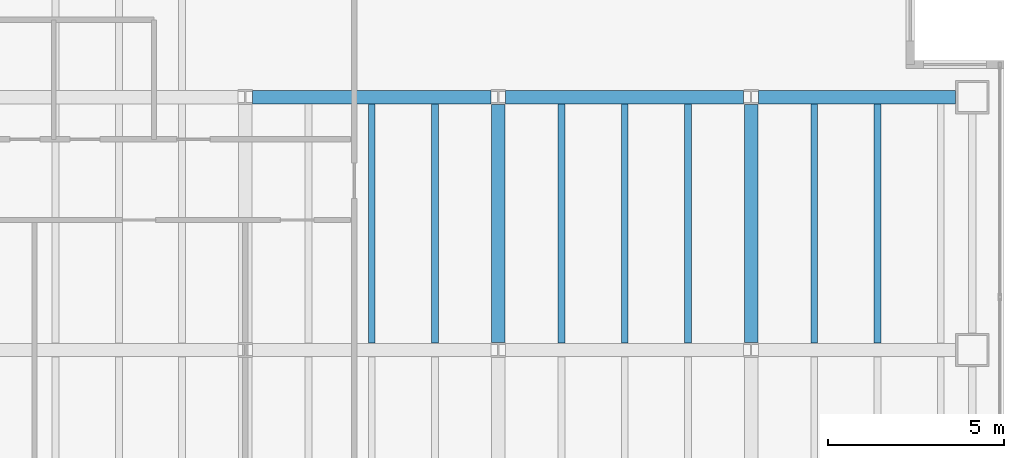
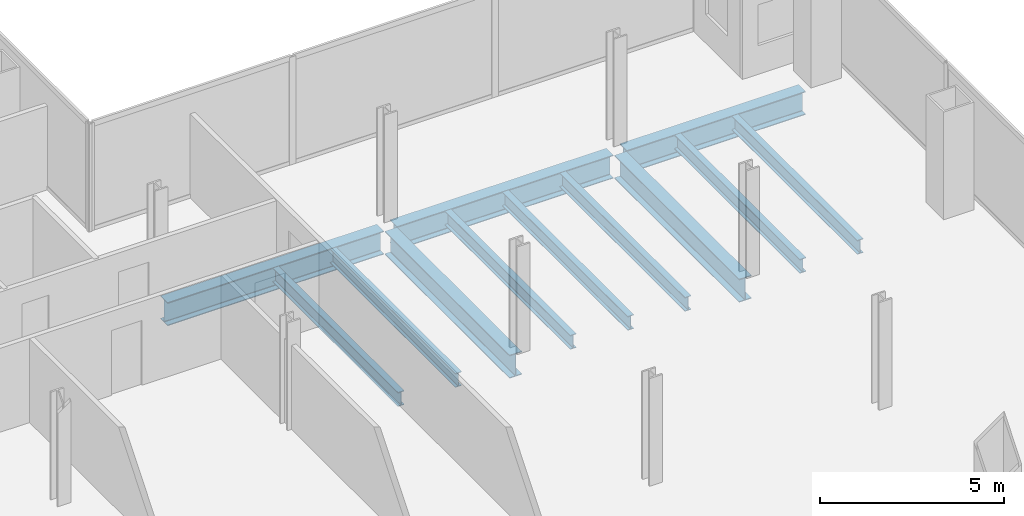
# One storey, part 11 of 23: 12 beams.
"""IFC4 building model written with IfcOpenShell, lengths in metres."""

from ifc_helpers import new_model, si_unit, direction, frame, origin, origin_2d, place, context, subcontext, project, spatial, i_section, extrude, material, material_profile, profile_set, type_object, element, save


model = new_model("IFC4")

# Units and contexts
model_context = context("Model", 3, precision=1e-05, world=origin(), true_north=direction((0.0, 1.0)))
body_context = subcontext(model_context, "Body", "Model", "MODEL_VIEW")
ifc_project = project(units=[si_unit("LENGTHUNIT", "METRE"), si_unit("AREAUNIT", "SQUARE_METRE"), si_unit("VOLUMEUNIT", "CUBIC_METRE"), si_unit("PLANEANGLEUNIT", "RADIAN"), si_unit("MASSUNIT", "GRAM", prefix="KILO")], contexts=[model_context])

# Site, building, storey
site_placement = place(None, origin())
site = spatial("IfcSite", under=ifc_project, at=site_placement, CompositionType="ELEMENT")
building_placement = place(site_placement, origin())
building = spatial("IfcBuilding", under=site, at=building_placement, Name="Cobrela Telecom Tower", CompositionType="ELEMENT")
storey_placement = place(building_placement, frame((0.0, 0.0, 81.199951171875)))
storey = spatial("IfcBuildingStorey", under=building, at=storey_placement, Name="L20", CompositionType="ELEMENT", Elevation=81.199951171875)

# Beams
ifc_material = material(Name="Steel ASTM A992 Grade 50", Category="steel")
ifc_material_profile_1 = material_profile(ifc_material, i_section(OverallWidth=0.381103515625, OverallDepth=0.77197265625, WebThickness=0.0166015625, FlangeThickness=0.027099609375, FilletRadius=0.01904296875, at=origin_2d()), Name="W30X173")
ifc_profile_set_1 = profile_set([ifc_material_profile_1], Name="Steel ASTM A992 Grade 50")
beam_type_1 = type_object("IfcBeamType", Name="BM-GIRD-04", PredefinedType="USERDEFINED", material=ifc_profile_set_1)
for number, where, z_axis, x_axis, name in (
    (1, (29.009521484375, 21.60009765625, -0.666015625), (1.0, 0.0, 0.0), (0.0, 1.0, 0.0), "L20 Primary Girder X20"),
    (2, (36.20947265625, 21.60009765625, -0.666015625), (1.0, 0.0, 0.0), (0.0, 1.0, 0.0), "L20 Primary Girder X21"),
):
    element("IfcBeam", number, at=place(storey_placement, frame(where, z_axis=z_axis, x_axis=x_axis)), inside=storey, type_object=beam_type_1, Name=name, ObjectType="GIRDER", PredefinedType="USERDEFINED", context=body_context, shape_type="SweptSolid", body=[
        extrude(i_section(OverallWidth=0.381103515625, OverallDepth=0.77197265625, WebThickness=0.0166015625, FlangeThickness=0.027099609375, FilletRadius=0.01904296875, at=origin_2d()), origin(), (0.0, 0.0, 1.0), 6.781005859375),
    ])
beam_placement = place(storey_placement, frame((43.409423828125, 21.60009765625, -0.666015625), z_axis=(1.0, 0.0, 0.0), x_axis=(0.0, 1.0, 0.0)))
element("IfcBeam", 3, at=beam_placement, inside=storey, type_object=beam_type_1, Name="L20 Primary Girder X22", ObjectType="GIRDER", PredefinedType="USERDEFINED", context=body_context, shape_type="SweptSolid", body=[
    extrude(i_section(OverallWidth=0.381103515625, OverallDepth=0.77197265625, WebThickness=0.0166015625, FlangeThickness=0.027099609375, FilletRadius=0.01904296875, at=origin_2d()), origin(), (0.0, 0.0, 1.0), 5.610595703125),
])
for number, where, z_axis, x_axis, name in (
    (4, (36.0, 14.609619140625, -0.666015625), (0.0, 1.0, 0.0), (-1.0, 0.0, 0.0), "L20 Primary Girder Y52"),
    (5, (43.199951171875, 14.609619140625, -0.666015625), (0.0, 1.0, 0.0), (-1.0, 0.0, 0.0), "L20 Primary Girder Y55"),
):
    element("IfcBeam", number, at=place(storey_placement, frame(where, z_axis=z_axis, x_axis=x_axis)), inside=storey, type_object=beam_type_1, Name=name, ObjectType="GIRDER", PredefinedType="USERDEFINED", context=body_context, shape_type="SweptSolid", body=[
        extrude(i_section(OverallWidth=0.381103515625, OverallDepth=0.77197265625, WebThickness=0.0166015625, FlangeThickness=0.027099609375, FilletRadius=0.01904296875, at=origin_2d()), origin(), (0.0, 0.0, 1.0), 6.78076171875),
    ])
ifc_material_profile_2 = material_profile(ifc_material, i_section(OverallWidth=0.193115234375, OverallDepth=0.467041015625, WebThickness=0.011474609375, FlangeThickness=0.01904296875, FilletRadius=0.012939453125, at=origin_2d()), Name="W18X65")
ifc_profile_set_2 = profile_set([ifc_material_profile_2], Name="Steel ASTM A992 Grade 50")
beam_type_2 = type_object("IfcBeamType", Name="BM-JOIST-03", PredefinedType="JOIST", material=ifc_profile_set_2)
for number, where, z_axis, x_axis, name in (
    (6, (32.39990234375, 14.595458984375, -0.513427734375), (0.0, 1.0, 0.0), (-1.0, 0.0, 0.0), "L20 Secondary Composite Floor Beam J46"),
    (7, (34.199951171875, 14.595458984375, -0.513427734375), (0.0, 1.0, 0.0), (-1.0, 0.0, 0.0), "L20 Secondary Composite Floor Beam J49"),
    (8, (37.800048828125, 14.595458984375, -0.513427734375), (0.0, 1.0, 0.0), (-1.0, 0.0, 0.0), "L20 Secondary Composite Floor Beam J52"),
    (9, (39.60009765625, 14.595458984375, -0.513427734375), (0.0, 1.0, 0.0), (-1.0, 0.0, 0.0), "L20 Secondary Composite Floor Beam J55"),
    (10, (41.39990234375, 14.595458984375, -0.513427734375), (0.0, 1.0, 0.0), (-1.0, 0.0, 0.0), "L20 Secondary Composite Floor Beam J58"),
    (11, (45.0, 14.595458984375, -0.513427734375), (0.0, 1.0, 0.0), (-1.0, 0.0, 0.0), "L20 Secondary Composite Floor Beam J60"),
    (12, (46.800048828125, 14.595458984375, -0.513427734375), (0.0, 1.0, 0.0), (-1.0, 0.0, 0.0), "L20 Secondary Composite Floor Beam J62"),
):
    element("IfcBeam", number, at=place(storey_placement, frame(where, z_axis=z_axis, x_axis=x_axis)), inside=storey, type_object=beam_type_2, Name=name, PredefinedType="JOIST", context=body_context, shape_type="SweptSolid", body=[
        extrude(i_section(OverallWidth=0.193115234375, OverallDepth=0.467041015625, WebThickness=0.011474609375, FlangeThickness=0.01904296875, FilletRadius=0.012939453125, at=origin_2d()), origin(), (0.0, 0.0, 1.0), 6.80908203125),
    ])

save(model, "model.ifc")
